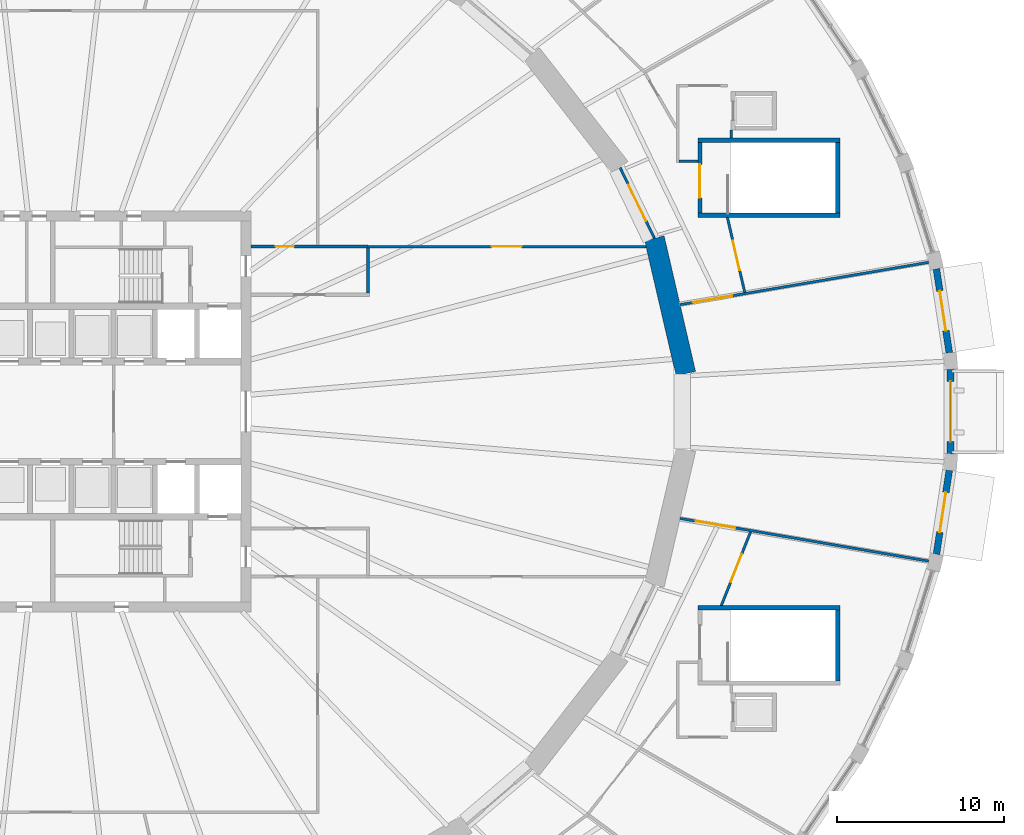
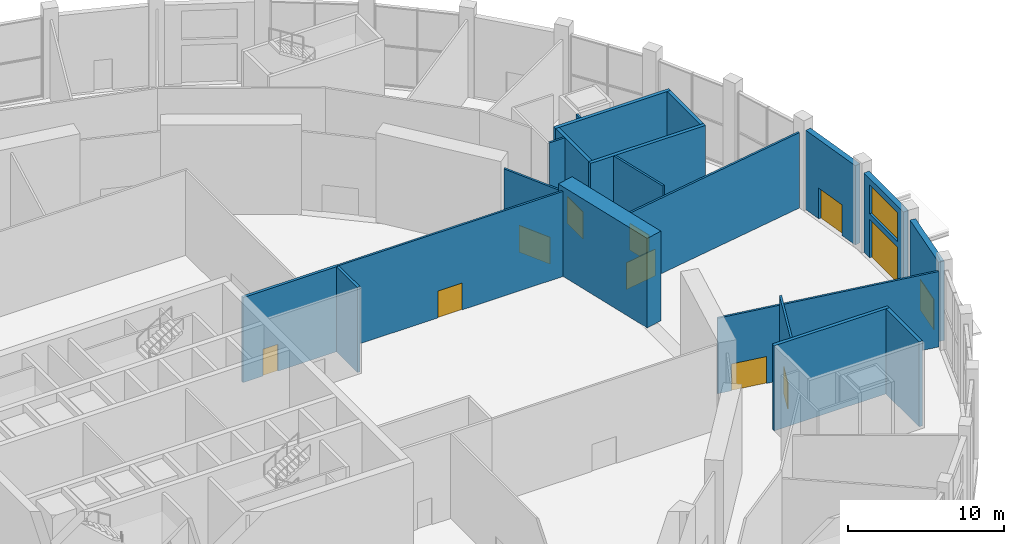
# One storey, part 25 of 33: 20 walls, 11 doors, 1 window, 12 openings.
"""IFC4 building model written with IfcOpenShell, lengths in metres."""

from ifc_helpers import new_model, si_unit, direction, frame, frame_2d, origin, place, context, subcontext, project, spatial, polyline, rectangle, outline, extrude, material, layer, layer_set, type_object, element, fill, save


model = new_model("IFC4")

# Units and contexts
model_context = context("Model", 3, precision=1e-05, world=origin(), true_north=direction((0.0, 1.0)))
body_context = subcontext(model_context, "Body", "Model", "MODEL_VIEW")
ifc_project = project(units=[si_unit("LENGTHUNIT", "METRE"), si_unit("AREAUNIT", "SQUARE_METRE"), si_unit("VOLUMEUNIT", "CUBIC_METRE"), si_unit("PLANEANGLEUNIT", "RADIAN"), si_unit("MASSUNIT", "GRAM", prefix="KILO")], contexts=[model_context])

# Site, building, storey
site_placement = place(None, origin())
site = spatial("IfcSite", under=ifc_project, at=site_placement, CompositionType="ELEMENT")
building_placement = place(site_placement, origin())
building = spatial("IfcBuilding", under=site, at=building_placement, Name="Halqa Exchange Tower", CompositionType="ELEMENT")
storey_placement = place(building_placement, origin())
storey = spatial("IfcBuildingStorey", under=building, at=storey_placement, Name="L00", CompositionType="ELEMENT", Elevation=0.0)

# Wall, opening, door
ifc_material_1 = material(Name="Fire-rated gypsum board")
ifc_layer_1 = layer(ifc_material_1, 0.14990234375)
ifc_layer_set_1 = layer_set([ifc_layer_1], Name="Fire-rated gypsum board")
wall_type_1 = type_object("IfcWallType", Name="Fire partition EI 60 150", PredefinedType="PARTITIONING", material=ifc_layer_set_1)
wall_1_placement = place(storey_placement, frame((19.0, 9.8798828125, 0.0), z_axis=(0.0, 0.0, 1.0), x_axis=(1.0, 0.0, 0.0)))
wall_1 = element("IfcWall", 1, at=wall_1_placement, inside=storey, type_object=wall_type_1, Name="L00-PWL-083", PredefinedType="PARTITIONING", context=body_context, shape_type="SweptSolid", body=[
    extrude(outline(polyline([(0.0, -0.074951171875), (16.667236328125, -0.074951171875), (16.632568359375, 0.074951171875), (0.0, 0.074951171875), (0.0, -0.074951171875)])), origin(), (0.0, 0.0, 1.0), 6.64990234375),
])
opening_1_placement = place(wall_1_placement, frame((7.405029296875, 0.0, 0.0)))
opening_1 = element("IfcOpeningElement", 2, at=opening_1_placement, cuts=wall_1, Name="Opening L00-09", PredefinedType="OPENING", context=body_context, shape_type="SweptSolid", body=[
    extrude(rectangle(XDim=1.800048828125, YDim=2.10009765625, at=frame_2d((0.89990234375, 1.050048828125))), frame((0.0, 0.0869140625, 0.0), z_axis=(0.0, -1.0, 0.0), x_axis=(1.0, 0.0, 0.0)), (0.0, 0.0, 1.0), 0.173828125),
])
ifc_material_2 = material(Name="Steel fire door leaf", Category="steel")
door_type_1 = type_object("IfcDoorType", Name="Fire door FD30S double 1800 x 2100", OperationType="DOUBLE_DOOR_SINGLE_SWING", PredefinedType="DOOR", material=ifc_material_2)
door_1_placement = place(opening_1_placement, origin())
door_1 = element("IfcDoor", 3, at=door_1_placement, inside=storey, type_object=door_type_1, Name="L00-IDR-009", OperationType="DOUBLE_DOOR_SINGLE_SWING", OverallHeight=2.10009765625, OverallWidth=1.800048828125, PredefinedType="DOOR", context=body_context, shape_type="SweptSolid", body=[
    extrude(rectangle(XDim=1.800048828125, YDim=2.10009765625, at=frame_2d((0.89990234375, 1.050048828125))), frame((0.0, 0.02490234375, 0.0), z_axis=(0.0, -1.0, 0.0), x_axis=(1.0, 0.0, 0.0)), (0.0, 0.0, 1.0), 0.050048828125),
])
fill(opening_1, door_1)

wall_2_placement = place(storey_placement, frame((34.09716796875, 14.605712890625, 0.0), z_axis=(0.0, 0.0, 1.0), x_axis=(0.436936398764, -0.899492403212, 0.0)))
wall_2 = element("IfcWall", 4, at=wall_2_placement, inside=storey, type_object=wall_type_1, Name="L00-PWL-093", PredefinedType="PARTITIONING", context=body_context, shape_type="SweptSolid", body=[
    extrude(outline(polyline([(0.015869140625, -0.074951171875), (4.680908203125, -0.074951171875), (4.715087890625, 0.074951171875), (-0.015869140625, 0.074951171875), (0.015869140625, -0.074951171875)])), origin(), (0.0, 0.0, 1.0), 6.10009765625),
])
opening_2_placement = place(wall_2_placement, frame((1.15234375, 0.0, 0.0)))
opening_2 = element("IfcOpeningElement", 5, at=opening_2_placement, cuts=wall_2, Name="Opening L00-21", PredefinedType="OPENING", context=body_context, shape_type="SweptSolid", body=[
    extrude(rectangle(XDim=2.39990234375, YDim=2.10009765625, at=frame_2d((1.199951171875, 1.050048828125))), frame((0.0, 0.0869140625, 0.0), z_axis=(0.0, -1.0, 0.0), x_axis=(1.0, 0.0, 0.0)), (0.0, 0.0, 1.0), 0.173828125),
])
door_type_2 = type_object("IfcDoorType", Name="Fire door FD60S double 2400 x 2100", OperationType="DOUBLE_DOOR_SINGLE_SWING", PredefinedType="DOOR", material=ifc_material_2)
door_2_placement = place(opening_2_placement, frame((2.39990234375, 0.0, 0.0), z_axis=(0.0, 0.0, 1.0), x_axis=(-1.0, 0.0, 0.0)))
door_2 = element("IfcDoor", 6, at=door_2_placement, inside=storey, type_object=door_type_2, Name="L00-IDR-021", OperationType="DOUBLE_DOOR_SINGLE_SWING", OverallHeight=2.10009765625, OverallWidth=2.39990234375, PredefinedType="DOOR", context=body_context, shape_type="SweptSolid", body=[
    extrude(rectangle(XDim=2.39990234375, YDim=2.10009765625, at=frame_2d((1.199951171875, 1.050048828125))), frame((0.0, 0.02490234375, 0.0), z_axis=(0.0, -1.0, 0.0), x_axis=(1.0, 0.0, 0.0)), (0.0, 0.0, 1.0), 0.050048828125),
])
fill(opening_2, door_2)

# Wall
wall_3_placement = place(storey_placement, frame((37.625, 15.0, 0.0), z_axis=(0.0, 0.0, 1.0), x_axis=(1.0, 0.0, 0.0)))
element("IfcWall", 7, at=wall_3_placement, inside=storey, type_object=wall_type_1, Name="L00-PWL-102", PredefinedType="PARTITIONING", context=body_context, shape_type="SweptSolid", body=[
    extrude(rectangle(XDim=1.1259765625, YDim=0.14990234375, at=frame_2d((0.56298828125, 0.0))), origin(), (0.0, 0.0, 1.0), 6.64990234375),
])

# Wall, opening, door
wall_4_placement = place(storey_placement, frame((37.68798828125, -6.399658203125, 0.0), z_axis=(0.0, 0.0, 1.0), x_axis=(0.985568200056, -0.169278832222, 0.0)))
wall_4 = element("IfcWall", 8, at=wall_4_placement, inside=storey, type_object=wall_type_1, Name="L00-PWL-104", PredefinedType="PARTITIONING", context=body_context, shape_type="SweptSolid", body=[
    extrude(outline(polyline([(-0.00439453125, -0.074951171875), (15.095947265625, -0.074951171875), (15.104736328125, 0.074951171875), (0.00439453125, 0.074951171875), (-0.00439453125, -0.074951171875)])), origin(), (0.0, 0.0, 1.0), 5.89697265625),
])
opening_3_placement = place(wall_4_placement, frame((0.9580078125, 0.0, 0.0)))
opening_3 = element("IfcOpeningElement", 9, at=opening_3_placement, cuts=wall_4, Name="Opening L00-38", PredefinedType="OPENING", context=body_context, shape_type="SweptSolid", body=[
    extrude(rectangle(XDim=2.39990234375, YDim=2.10009765625, at=frame_2d((1.199951171875, 1.050048828125))), frame((0.0, 0.0869140625, 0.0), z_axis=(0.0, -1.0, 0.0), x_axis=(1.0, 0.0, 0.0)), (0.0, 0.0, 1.0), 0.173828125),
])
door_3_placement = place(opening_3_placement, frame((2.39990234375, 0.0, 0.0), z_axis=(0.0, 0.0, 1.0), x_axis=(-1.0, 0.0, 0.0)))
door_3 = element("IfcDoor", 10, at=door_3_placement, inside=storey, type_object=door_type_2, Name="L00-IDR-038", OperationType="DOUBLE_DOOR_SINGLE_SWING", OverallHeight=2.10009765625, OverallWidth=2.39990234375, PredefinedType="DOOR", context=body_context, shape_type="SweptSolid", body=[
    extrude(rectangle(XDim=2.39990234375, YDim=2.10009765625, at=frame_2d((1.199951171875, 1.050048828125))), frame((0.0, 0.02490234375, 0.0), z_axis=(0.0, -1.0, 0.0), x_axis=(1.0, 0.0, 0.0)), (0.0, 0.0, 1.0), 0.050048828125),
])
fill(opening_3, door_3)

wall_5_placement = place(storey_placement, frame((37.68798828125, 6.399658203125, 0.0), z_axis=(0.0, 0.0, 1.0), x_axis=(0.985802614267, 0.167908325299, 0.0)))
wall_5 = element("IfcWall", 11, at=wall_5_placement, inside=storey, type_object=wall_type_1, Name="L00-PWL-105", PredefinedType="PARTITIONING", context=body_context, shape_type="SweptSolid", body=[
    extrude(outline(polyline([(0.00439453125, -0.074951171875), (15.105712890625, -0.074951171875), (15.096923828125, 0.074951171875), (-0.00439453125, 0.074951171875), (0.00439453125, -0.074951171875)])), origin(), (0.0, 0.0, 1.0), 5.89697265625),
])
opening_4_placement = place(wall_5_placement, frame((0.77490234375, 0.0, 0.0)))
opening_4 = element("IfcOpeningElement", 12, at=opening_4_placement, cuts=wall_5, Name="Opening L00-37", PredefinedType="OPENING", context=body_context, shape_type="SweptSolid", body=[
    extrude(rectangle(XDim=2.39990234375, YDim=2.10009765625, at=frame_2d((1.199951171875, 1.050048828125))), frame((0.0, 0.0869140625, 0.0), z_axis=(0.0, -1.0, 0.0), x_axis=(1.0, 0.0, 0.0)), (0.0, 0.0, 1.0), 0.173828125),
])
door_4_placement = place(opening_4_placement, origin())
door_4 = element("IfcDoor", 13, at=door_4_placement, inside=storey, type_object=door_type_2, Name="L00-IDR-037", OperationType="DOUBLE_DOOR_SINGLE_SWING", OverallHeight=2.10009765625, OverallWidth=2.39990234375, PredefinedType="DOOR", context=body_context, shape_type="SweptSolid", body=[
    extrude(rectangle(XDim=2.39990234375, YDim=2.10009765625, at=frame_2d((1.199951171875, 1.050048828125))), frame((0.0, 0.02490234375, 0.0), z_axis=(0.0, -1.0, 0.0), x_axis=(1.0, 0.0, 0.0)), (0.0, 0.0, 1.0), 0.050048828125),
])
fill(opening_4, door_4)

wall_6_placement = place(storey_placement, frame((40.52099609375, 11.62548828125, 0.0), z_axis=(0.0, 0.0, 1.0), x_axis=(0.225938556647, -0.974141554714, 0.0)))
wall_6 = element("IfcWall", 14, at=wall_6_placement, inside=storey, type_object=wall_type_1, Name="L00-PWL-106", PredefinedType="PARTITIONING", context=body_context, shape_type="SweptSolid", body=[
    extrude(outline(polyline([(-0.017333984375, -0.074951171875), (4.605224609375, -0.074951171875), (4.614013671875, 0.074951171875), (0.017333984375, 0.074951171875), (-0.017333984375, -0.074951171875)])), origin(), (0.0, 0.0, 1.0), 6.64990234375),
])
opening_5_placement = place(wall_6_placement, frame((1.441162109375, 0.0, 0.0)))
opening_5 = element("IfcOpeningElement", 15, at=opening_5_placement, cuts=wall_6, Name="Opening L00-67", PredefinedType="OPENING", context=body_context, shape_type="SweptSolid", body=[
    extrude(rectangle(XDim=1.800048828125, YDim=2.10009765625, at=frame_2d((0.89990234375, 1.050048828125))), frame((0.0, 0.0869140625, 0.0), z_axis=(0.0, -1.0, 0.0), x_axis=(1.0, 0.0, 0.0)), (0.0, 0.0, 1.0), 0.173828125),
])
door_5_placement = place(opening_5_placement, frame((1.800048828125, 0.0, 0.0), z_axis=(0.0, 0.0, 1.0), x_axis=(-1.0, 0.0, 0.0)))
door_5 = element("IfcDoor", 16, at=door_5_placement, inside=storey, type_object=door_type_1, Name="L00-IDR-067", OperationType="DOUBLE_DOOR_SINGLE_SWING", OverallHeight=2.10009765625, OverallWidth=1.800048828125, PredefinedType="DOOR", context=body_context, shape_type="SweptSolid", body=[
    extrude(rectangle(XDim=1.800048828125, YDim=2.10009765625, at=frame_2d((0.89990234375, 1.050048828125))), frame((0.0, 0.02490234375, 0.0), z_axis=(0.0, -1.0, 0.0), x_axis=(1.0, 0.0, 0.0)), (0.0, 0.0, 1.0), 0.050048828125),
])
fill(opening_5, door_5)

# Wall
wall_7_placement = place(storey_placement, frame((40.75, 16.85009765625, 0.0), z_axis=(0.0, 0.0, 1.0), x_axis=(0.0, -1.0, 0.0)))
element("IfcWall", 17, at=wall_7_placement, inside=storey, type_object=wall_type_1, Name="L00-PWL-109", PredefinedType="PARTITIONING", context=body_context, shape_type="SweptSolid", body=[
    extrude(rectangle(XDim=0.47607421875, YDim=0.14990234375, at=frame_2d((0.238037109375, 0.0))), origin(), (0.0, 0.0, 1.0), 6.64990234375),
])

# Wall, opening, door
wall_8_placement = place(storey_placement, frame((41.912109375, -7.20068359375, 0.0), z_axis=(0.0, 0.0, 1.0), x_axis=(-0.368576813523, -0.929597295894, 0.0)))
wall_8 = element("IfcWall", 18, at=wall_8_placement, inside=storey, type_object=wall_type_1, Name="L00-PWL-110", PredefinedType="PARTITIONING", context=body_context, shape_type="SweptSolid", body=[
    extrude(outline(polyline([(0.015869140625, -0.074951171875), (4.789794921875, -0.074951171875), (4.730224609375, 0.074951171875), (-0.015869140625, 0.074951171875), (0.015869140625, -0.074951171875)])), origin(), (0.0, 0.0, 1.0), 6.64990234375),
])
opening_6_placement = place(wall_8_placement, frame((1.43896484375, 0.0, 0.0)))
opening_6 = element("IfcOpeningElement", 19, at=opening_6_placement, cuts=wall_8, Name="Opening L00-70", PredefinedType="OPENING", context=body_context, shape_type="SweptSolid", body=[
    extrude(rectangle(XDim=1.800048828125, YDim=2.10009765625, at=frame_2d((0.89990234375, 1.050048828125))), frame((0.0, 0.0869140625, 0.0), z_axis=(0.0, -1.0, 0.0), x_axis=(1.0, 0.0, 0.0)), (0.0, 0.0, 1.0), 0.173828125),
])
door_6_placement = place(opening_6_placement, frame((1.800048828125, 0.0, 0.0), z_axis=(0.0, 0.0, 1.0), x_axis=(-1.0, 0.0, 0.0)))
door_6 = element("IfcDoor", 20, at=door_6_placement, inside=storey, type_object=door_type_1, Name="L00-IDR-070", OperationType="DOUBLE_DOOR_SINGLE_SWING", OverallHeight=2.10009765625, OverallWidth=1.800048828125, PredefinedType="DOOR", context=body_context, shape_type="SweptSolid", body=[
    extrude(rectangle(XDim=1.800048828125, YDim=2.10009765625, at=frame_2d((0.89990234375, 1.050048828125))), frame((0.0, 0.02490234375, 0.0), z_axis=(0.0, -1.0, 0.0), x_axis=(1.0, 0.0, 0.0)), (0.0, 0.0, 1.0), 0.050048828125),
])
fill(opening_6, door_6)

ifc_material_3 = material(Name="Concrete C30/37", Category="concrete")
ifc_layer_2 = layer(ifc_material_3, 0.199951171875)
ifc_layer_set_2 = layer_set([ifc_layer_2], Name="Concrete C30/37")
wall_type_2 = type_object("IfcWallType", Name="Fire wall EI 120 200", PredefinedType="PARTITIONING", material=ifc_layer_set_2)
wall_9_placement = place(storey_placement, frame((11.9990234375, 9.8798828125, 0.0), z_axis=(0.0, 0.0, 1.0), x_axis=(1.0, 0.0, 0.0)))
wall_9 = element("IfcWall", 21, at=wall_9_placement, inside=storey, type_object=wall_type_2, Name="L00-PWL-070", PredefinedType="PARTITIONING", context=body_context, shape_type="SweptSolid", body=[
    extrude(rectangle(XDim=7.001953125, YDim=0.199951171875, at=frame_2d((3.5009765625, 0.0))), origin(), (0.0, 0.0, 1.0), 6.64990234375),
])
opening_7_placement = place(wall_9_placement, frame((1.466064453125, 0.0, 0.0)))
opening_7 = element("IfcOpeningElement", 22, at=opening_7_placement, cuts=wall_9, Name="Opening L00-16", PredefinedType="OPENING", context=body_context, shape_type="SweptSolid", body=[
    extrude(rectangle(XDim=1.10009765625, YDim=2.10009765625, at=frame_2d((0.550048828125, 1.050048828125))), frame((0.0, 0.112060546875, 0.0), z_axis=(0.0, -1.0, 0.0), x_axis=(1.0, 0.0, 0.0)), (0.0, 0.0, 1.0), 0.223876953125),
])
door_type_3 = type_object("IfcDoorType", Name="Fire door FD120S 1100 x 2100", OperationType="SINGLE_SWING_LEFT", PredefinedType="DOOR", material=ifc_material_2)
door_7_placement = place(opening_7_placement, frame((1.10009765625, 0.0, 0.0), z_axis=(0.0, 0.0, 1.0), x_axis=(-1.0, 0.0, 0.0)))
door_7 = element("IfcDoor", 23, at=door_7_placement, inside=storey, type_object=door_type_3, Name="L00-IDR-016", OperationType="SINGLE_SWING_LEFT", OverallHeight=2.10009765625, OverallWidth=1.10009765625, PredefinedType="DOOR", context=body_context, shape_type="SweptSolid", body=[
    extrude(rectangle(XDim=1.10009765625, YDim=2.10009765625, at=frame_2d((0.550048828125, 1.050048828125))), frame((0.0, 0.02490234375, 0.0), z_axis=(0.0, -1.0, 0.0), x_axis=(1.0, 0.0, 0.0)), (0.0, 0.0, 1.0), 0.050048828125),
])
fill(opening_7, door_7)

# Walls
wall_10_placement = place(storey_placement, frame((19.0, 9.780029296875, 0.0), z_axis=(0.0, 0.0, 1.0), x_axis=(0.0, -1.0, 0.0)))
element("IfcWall", 24, at=wall_10_placement, inside=storey, type_object=wall_type_2, Name="L00-PWL-082", PredefinedType="PARTITIONING", context=body_context, shape_type="SweptSolid", body=[
    extrude(rectangle(XDim=2.680908203125, YDim=0.199951171875, at=frame_2d((1.34033203125, 0.0))), origin(), (0.0, 0.0, 1.0), 6.64990234375),
])
ifc_material_4 = material(Name="Concrete C80/95", Category="concrete")
ifc_layer_3 = layer(ifc_material_4, 1.199951171875)
ifc_layer_set_3 = layer_set([ifc_layer_3], Name="Concrete C80/95")
wall_type_3 = type_object("IfcWallType", Name="RC ring pier 1200 C80/95", PredefinedType="SHEAR", material=ifc_layer_set_3)
wall_11_placement = place(storey_placement, frame((38.03173828125, 2.26708984375, 0.0), z_axis=(0.0, 0.0, 1.0), x_axis=(-0.226058185805, 0.974113800657, 0.0)))
element("IfcWall", 25, at=wall_11_placement, inside=storey, type_object=wall_type_3, Name="Ring pier 1", PredefinedType="SHEAR", context=body_context, shape_type="SweptSolid", body=[
    extrude(rectangle(XDim=8.328857421875, YDim=1.199951171875, at=frame_2d((4.16455078125, 0.0))), origin(), (0.0, 0.0, 1.0), 7.0),
])
ifc_layer_4 = layer(ifc_material_3, 0.25)
ifc_layer_set_4 = layer_set([ifc_layer_4], Name="Concrete C30/37")
wall_type_4 = type_object("IfcWallType", Name="RC stair wall 250 C30/37", PredefinedType="SHEAR", material=ifc_layer_set_4)
for number, where, z_axis, x_axis, name in (
    (26, (38.75, 16.25, 0.0), (0.0, 0.0, 1.0), (1.0, 0.0, 0.0), "Stair SS1 wall north"),
    (27, (38.75, 11.75, 0.0), (0.0, 0.0, 1.0), (1.0, 0.0, 0.0), "Stair SS1 wall south"),
):
    element("IfcWall", number, at=place(storey_placement, frame(where, z_axis=z_axis, x_axis=x_axis)), inside=storey, type_object=wall_type_4, Name=name, PredefinedType="SHEAR", context=body_context, shape_type="SweptSolid", body=[
        extrude(rectangle(XDim=8.5, YDim=0.25, at=frame_2d((4.25, 0.0))), origin(), (0.0, 0.0, 1.0), 6.64990234375),
    ])

# Wall, opening, door
wall_12_placement = place(storey_placement, frame((38.875, 11.875, 0.0), z_axis=(0.0, 0.0, 1.0), x_axis=(0.0, 1.0, 0.0)))
wall_12 = element("IfcWall", 28, at=wall_12_placement, inside=storey, type_object=wall_type_4, Name="Stair SS1 wall west", PredefinedType="SHEAR", context=body_context, shape_type="SweptSolid", body=[
    extrude(rectangle(XDim=4.25, YDim=0.25, at=frame_2d((2.125, 0.0))), origin(), (0.0, 0.0, 1.0), 6.64990234375),
])
opening_8_placement = place(wall_12_placement, frame((0.925048828125, 0.0, 0.0)))
opening_8 = element("IfcOpeningElement", 29, at=opening_8_placement, cuts=wall_12, Name="Opening L00-C27", PredefinedType="OPENING", context=body_context, shape_type="SweptSolid", body=[
    extrude(rectangle(XDim=2.0, YDim=2.10009765625, at=frame_2d((1.0, 1.050048828125))), frame((0.0, 0.136962890625, 0.0), z_axis=(0.0, -1.0, 0.0), x_axis=(1.0, 0.0, 0.0)), (0.0, 0.0, 1.0), 0.27392578125),
])
door_type_4 = type_object("IfcDoorType", Name="Station stair double door FD90 2000 x 2100", OperationType="DOUBLE_DOOR_SINGLE_SWING", PredefinedType="DOOR", material=ifc_material_2)
door_8_placement = place(opening_8_placement, origin())
door_8 = element("IfcDoor", 30, at=door_8_placement, inside=storey, type_object=door_type_4, Name="Core room door", OperationType="DOUBLE_DOOR_SINGLE_SWING", OverallHeight=2.10009765625, OverallWidth=2.0, PredefinedType="DOOR", context=body_context, shape_type="SweptSolid", body=[
    extrude(rectangle(XDim=2.0, YDim=2.10009765625, at=frame_2d((1.0, 1.050048828125))), frame((0.0, 0.02490234375, 0.0), z_axis=(0.0, -1.0, 0.0), x_axis=(1.0, 0.0, 0.0)), (0.0, 0.0, 1.0), 0.050048828125),
])
fill(opening_8, door_8)

# Walls
wall_13_placement = place(storey_placement, frame((47.125, 11.875, 0.0), z_axis=(0.0, 0.0, 1.0), x_axis=(0.0, 1.0, 0.0)))
element("IfcWall", 31, at=wall_13_placement, inside=storey, type_object=wall_type_4, Name="Stair SS1 wall east", PredefinedType="SHEAR", context=body_context, shape_type="SweptSolid", body=[
    extrude(rectangle(XDim=4.25, YDim=0.25, at=frame_2d((2.125, 0.0))), origin(), (0.0, 0.0, 1.0), 6.64990234375),
])
wall_14_placement = place(storey_placement, frame((38.75, -11.75, 0.0), z_axis=(0.0, 0.0, 1.0), x_axis=(1.0, 0.0, 0.0)))
element("IfcWall", 32, at=wall_14_placement, inside=storey, type_object=wall_type_4, Name="Stair SS2 wall north", PredefinedType="SHEAR", context=body_context, shape_type="SweptSolid", body=[
    extrude(rectangle(XDim=8.5, YDim=0.25, at=frame_2d((4.25, 0.0))), origin(), (0.0, 0.0, 1.0), 6.64990234375),
])
wall_15_placement = place(storey_placement, frame((47.125, -16.125, 0.0), z_axis=(0.0, 0.0, 1.0), x_axis=(0.0, 1.0, 0.0)))
element("IfcWall", 33, at=wall_15_placement, inside=storey, type_object=wall_type_4, Name="Stair SS2 wall east", PredefinedType="SHEAR", context=body_context, shape_type="SweptSolid", body=[
    extrude(rectangle(XDim=4.25, YDim=0.25, at=frame_2d((2.125, 0.0))), origin(), (0.0, 0.0, 1.0), 6.64990234375),
])

# Wall, opening, door
ifc_material_5 = material(Name="Limestone cladding", Category="masonry")
ifc_layer_5 = layer(ifc_material_5, 0.0400390625)
ifc_material_6 = material(Name="Ventilated cavity")
ifc_layer_6 = layer(ifc_material_6, 0.030029296875, ventilated=True)
ifc_material_7 = material(Name="Mineral wool insulation")
ifc_layer_7 = layer(ifc_material_7, 0.1201171875)
ifc_layer_8 = layer(ifc_material_3, 0.179931640625)
ifc_material_8 = material(Name="Internal plaster")
ifc_layer_9 = layer(ifc_material_8, 0.030029296875)
ifc_layer_set_5 = layer_set([ifc_layer_5, ifc_layer_6, ifc_layer_7, ifc_layer_8, ifc_layer_9], Name="Stone-faced insulated wall 400")
wall_type_5 = type_object("IfcWallType", Name="Stone-faced insulated wall 400", PredefinedType="STANDARD", material=ifc_layer_set_5)
wall_16_placement = place(storey_placement, frame((53.80859375, 3.5224609375, 0.0), z_axis=(0.0, 0.0, 1.0), x_axis=(-0.151778822734, 0.988414482375, 0.0)))
wall_16 = element("IfcWall", 34, at=wall_16_placement, inside=storey, type_object=wall_type_5, Name="Podium wall 1", PredefinedType="STANDARD", context=body_context, shape_type="SweptSolid", body=[
    extrude(rectangle(XDim=5.074951171875, YDim=0.39990234375, at=frame_2d((2.53759765625, 0.0))), origin(), (0.0, 0.0, 1.0), 6.199951171875),
])
opening_9_placement = place(wall_16_placement, frame((1.33740234375, 0.0, 0.0)))
opening_9 = element("IfcOpeningElement", 35, at=opening_9_placement, cuts=wall_16, Name="Opening SE-03", PredefinedType="OPENING", context=body_context, shape_type="SweptSolid", body=[
    extrude(rectangle(XDim=2.39990234375, YDim=2.39990234375, at=frame_2d((1.199951171875, 1.199951171875))), frame((0.0, 0.2119140625, 0.0), z_axis=(0.0, -1.0, 0.0), x_axis=(1.0, 0.0, 0.0)), (0.0, 0.0, 1.0), 0.423828125),
])
ifc_material_9 = material(Name="Clear low-emissivity glass in aluminium frame", Category="aluminium")
door_type_5 = type_object("IfcDoorType", Name="Steel exit door 2400 x 2400", OperationType="DOUBLE_DOOR_SINGLE_SWING", PredefinedType="DOOR", material=ifc_material_9)
door_9_placement = place(opening_9_placement, frame((2.39990234375, 0.0, 0.0), z_axis=(0.0, 0.0, 1.0), x_axis=(-1.0, 0.0, 0.0)))
door_9 = element("IfcDoor", 36, at=door_9_placement, inside=storey, type_object=door_type_5, Name="Exit door 3", OperationType="DOUBLE_DOOR_SINGLE_SWING", OverallHeight=2.39990234375, OverallWidth=2.39990234375, PredefinedType="DOOR", context=body_context, shape_type="SweptSolid", body=[
    extrude(rectangle(XDim=2.39990234375, YDim=2.39990234375, at=frame_2d((1.199951171875, 1.199951171875))), frame((0.0, 0.02490234375, 0.0), z_axis=(0.0, -1.0, 0.0), x_axis=(1.0, 0.0, 0.0)), (0.0, 0.0, 1.0), 0.050048828125),
])
fill(opening_9, door_9)

wall_17_placement = place(storey_placement, frame((53.038330078125, -8.53857421875, 0.0), z_axis=(0.0, 0.0, 1.0), x_axis=(0.151778822734, 0.988414482375, 0.0)))
wall_17 = element("IfcWall", 37, at=wall_17_placement, inside=storey, type_object=wall_type_5, Name="Podium wall 47", PredefinedType="STANDARD", context=body_context, shape_type="SweptSolid", body=[
    extrude(rectangle(XDim=5.074951171875, YDim=0.39990234375, at=frame_2d((2.53759765625, 0.0))), origin(), (0.0, 0.0, 1.0), 6.199951171875),
])
opening_10_placement = place(wall_17_placement, frame((1.33740234375, 0.0, 0.0)))
opening_10 = element("IfcOpeningElement", 38, at=opening_10_placement, cuts=wall_17, Name="Opening SE-04", PredefinedType="OPENING", context=body_context, shape_type="SweptSolid", body=[
    extrude(rectangle(XDim=2.39990234375, YDim=2.39990234375, at=frame_2d((1.199951171875, 1.199951171875))), frame((0.0, 0.2119140625, 0.0), z_axis=(0.0, -1.0, 0.0), x_axis=(1.0, 0.0, 0.0)), (0.0, 0.0, 1.0), 0.423828125),
])
door_10_placement = place(opening_10_placement, frame((2.39990234375, 0.0, 0.0), z_axis=(0.0, 0.0, 1.0), x_axis=(-1.0, 0.0, 0.0)))
door_10 = element("IfcDoor", 39, at=door_10_placement, inside=storey, type_object=door_type_5, Name="Exit door 4", OperationType="DOUBLE_DOOR_SINGLE_SWING", OverallHeight=2.39990234375, OverallWidth=2.39990234375, PredefinedType="DOOR", context=body_context, shape_type="SweptSolid", body=[
    extrude(rectangle(XDim=2.39990234375, YDim=2.39990234375, at=frame_2d((1.199951171875, 1.199951171875))), frame((0.0, 0.02490234375, 0.0), z_axis=(0.0, -1.0, 0.0), x_axis=(1.0, 0.0, 0.0)), (0.0, 0.0, 1.0), 0.050048828125),
])
fill(opening_10, door_10)

# Wall, openings, door, window
wall_18_placement = place(storey_placement, frame((53.884521484375, -2.5283203125, 0.0), z_axis=(0.0, 0.0, 1.0), x_axis=(0.0, 1.0, 0.0)))
wall_18 = element("IfcWall", 40, at=wall_18_placement, inside=storey, type_object=wall_type_5, Name="Podium wall 48", PredefinedType="STANDARD", context=body_context, shape_type="SweptSolid", body=[
    extrude(rectangle(XDim=5.056640625, YDim=0.39990234375, at=frame_2d((2.5283203125, 0.0))), origin(), (0.0, 0.0, 1.0), 6.199951171875),
])
opening_11_placement = place(wall_18_placement, frame((0.728271484375, 0.0, 0.0)))
opening_11 = element("IfcOpeningElement", 41, at=opening_11_placement, cuts=wall_18, Name="Opening EN1-09", PredefinedType="OPENING", context=body_context, shape_type="SweptSolid", body=[
    extrude(rectangle(XDim=3.60009765625, YDim=3.0, at=frame_2d((1.800048828125, 1.5))), frame((0.0, 0.2119140625, 0.0), z_axis=(0.0, -1.0, 0.0), x_axis=(1.0, 0.0, 0.0)), (0.0, 0.0, 1.0), 0.423828125),
])
opening_12_placement = place(wall_18_placement, frame((0.728271484375, 0.0, 3.449951171875)))
opening_12 = element("IfcOpeningElement", 42, at=opening_12_placement, cuts=wall_18, Name="Opening WE-09", PredefinedType="OPENING", context=body_context, shape_type="SweptSolid", body=[
    extrude(rectangle(XDim=3.60009765625, YDim=2.25, at=frame_2d((1.800048828125, 1.125))), frame((0.0, 0.2119140625, 0.0), z_axis=(0.0, -1.0, 0.0), x_axis=(1.0, 0.0, 0.0)), (0.0, 0.0, 1.0), 0.423828125),
])
door_type_6 = type_object("IfcDoorType", Name="Automatic sliding entrance door 3600 x 3000", OperationType="DOUBLE_DOOR_SLIDING", PredefinedType="DOOR", material=ifc_material_9)
door_11_placement = place(opening_11_placement, frame((3.60009765625, 0.0, 0.0), z_axis=(0.0, 0.0, 1.0), x_axis=(-1.0, 0.0, 0.0)))
door_11 = element("IfcDoor", 43, at=door_11_placement, inside=storey, type_object=door_type_6, Name="Entrance door 9", OperationType="DOUBLE_DOOR_SLIDING", OverallHeight=3.0, OverallWidth=3.60009765625, PredefinedType="DOOR", context=body_context, shape_type="SweptSolid", body=[
    extrude(rectangle(XDim=3.60009765625, YDim=3.0, at=frame_2d((1.800048828125, 1.5))), frame((0.0, 0.02490234375, 0.0), z_axis=(0.0, -1.0, 0.0), x_axis=(1.0, 0.0, 0.0)), (0.0, 0.0, 1.0), 0.050048828125),
])
fill(opening_11, door_11)
window_type = type_object("IfcWindowType", Name="Fixed clear entrance window 3600 x 2250", PartitioningType="TRIPLE_PANEL_VERTICAL", PredefinedType="WINDOW", material=ifc_material_9)
window_placement = place(opening_12_placement, origin())
window = element("IfcWindow", 44, at=window_placement, inside=storey, type_object=window_type, Name="Entrance window", OverallHeight=2.25, OverallWidth=3.60009765625, PartitioningType="TRIPLE_PANEL_VERTICAL", PredefinedType="WINDOW", context=body_context, shape_type="SweptSolid", body=[
    extrude(rectangle(XDim=3.60009765625, YDim=2.25, at=frame_2d((1.800048828125, 1.125))), frame((0.0, 0.030029296875, 0.0), z_axis=(0.0, -1.0, 0.0), x_axis=(1.0, 0.0, 0.0)), (0.0, 0.0, 1.0), 0.06005859375),
])
fill(opening_12, window)

save(model, "model.ifc")
